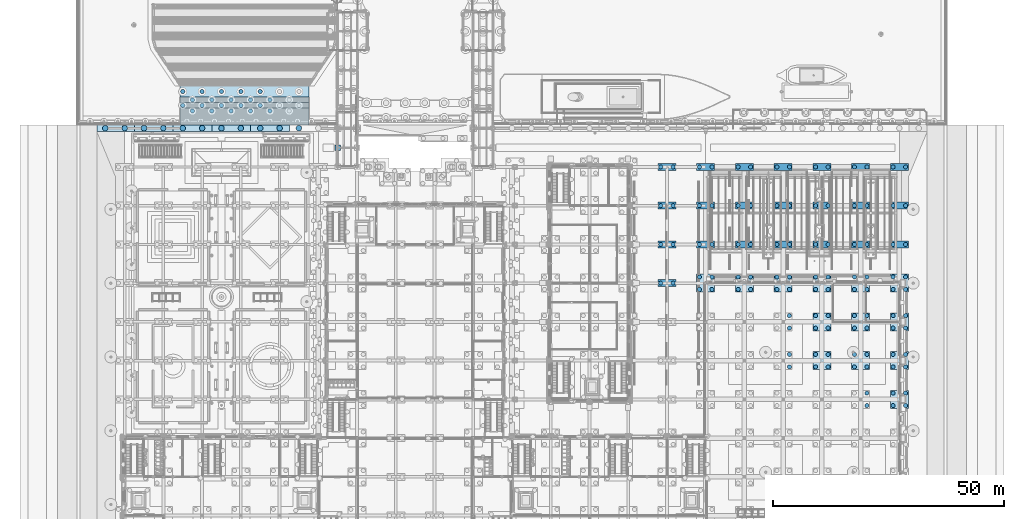
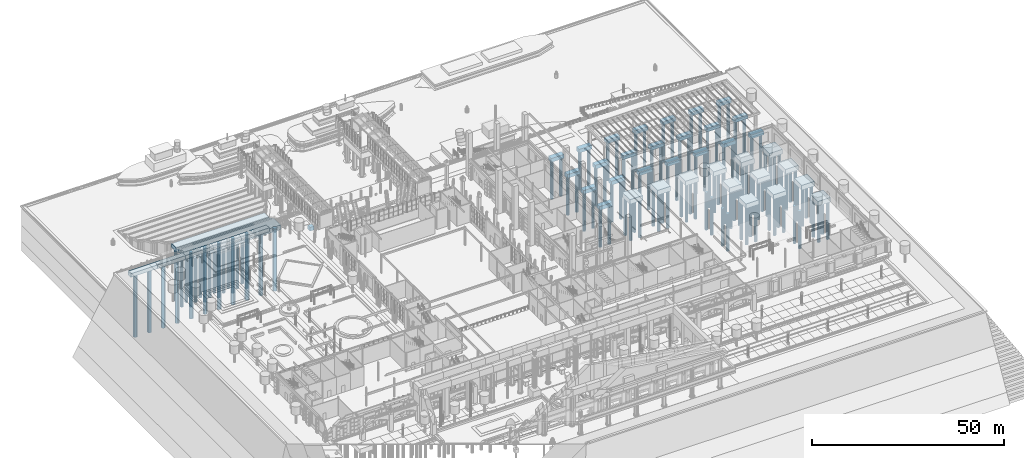
# One storey, part 6 of 222: 133 piles, 45 footings.
"""IFC4 building model written with IfcOpenShell, lengths in metres."""

import ifcopenshell
import ifcopenshell.guid

model = None  # the IFC model being written
_history = None  # IfcOwnerHistory: only IFC2X3 demands one
_inside = {}  # id of a spatial element -> (the spatial element, [elements in it])
_under = {}  # id of a project, library or spatial element -> (it, [spatial elements below it])
_declared = {}  # id of a project -> (the project, [libraries it declares])
_typed = {}  # id of a type object -> (the type object, [elements of that type])
_made_of = {}  # id of a material, layer set ... -> (it, [elements and type objects made of it])


def new_model(schema):
    """Start an empty IFC model of exactly this schema.

    Asked for "IFC4X3", IfcOpenShell would pick the latest addendum, in which some entities
    have other attributes; the version numbers below select the first issue.
    IFC2X3 requires an IfcOwnerHistory on every rooted entity: one is made here for all.
    """
    global model, _history
    if schema == "IFC4X3":
        model = ifcopenshell.file(schema_version=(4, 3, 0, 0))
    else:
        model = ifcopenshell.file(schema=schema)
    _inside.clear()
    _under.clear()
    _declared.clear()
    _typed.clear()
    _made_of.clear()
    _history = None
    if model.schema == "IFC2X3":
        org = make("IfcOrganization", Name="unknown")
        user = make(
            "IfcPersonAndOrganization",
            ThePerson=make("IfcPerson", FamilyName="unknown"),
            TheOrganization=org,
        )
        app = make(
            "IfcApplication",
            ApplicationDeveloper=org,
            Version="unknown",
            ApplicationFullName="unknown",
            ApplicationIdentifier="unknown",
        )
        _history = make(
            "IfcOwnerHistory",
            OwningUser=user,
            OwningApplication=app,
            ChangeAction="ADDED",
            CreationDate=0,
        )
    return model


def make(cls, **values):
    """One entity of the class cls with the attributes given. An attribute that is None is left unset."""
    return model.create_entity(
        cls, **{name: value for name, value in values.items() if value is not None}
    )


def rooted(cls, **values):
    """An entity with a GlobalId (a new one), such as an element, a storey or a relation."""
    return make(cls, GlobalId=ifcopenshell.guid.new(), OwnerHistory=_history, **values)


def si_unit(unit_type, name, prefix=None):
    """IfcSIUnit, for example si_unit("LENGTHUNIT", "METRE", prefix="MILLI")."""
    return make("IfcSIUnit", UnitType=unit_type, Prefix=prefix, Name=name)


def assignment(units):
    """IfcUnitAssignment: the units of a project."""
    return None if units is None else make("IfcUnitAssignment", Units=units)


def point(xyz):
    """IfcCartesianPoint."""
    return None if xyz is None else make("IfcCartesianPoint", Coordinates=xyz)


def direction(xyz):
    """IfcDirection."""
    return None if xyz is None else make("IfcDirection", DirectionRatios=xyz)


def frame(location, z_axis=None, x_axis=None):
    """IfcAxis2Placement3D, a coordinate frame: its origin and axes. An axis left out is left unset."""
    return make(
        "IfcAxis2Placement3D",
        Location=point(location),
        Axis=direction(z_axis),
        RefDirection=direction(x_axis),
    )


def frame_2d(location, x_axis=None):
    """IfcAxis2Placement2D, a coordinate frame in the plane: its origin and x axis."""
    return make(
        "IfcAxis2Placement2D", Location=point(location), RefDirection=direction(x_axis)
    )


def origin():
    """The frame at (0, 0, 0) with its axes left unset."""
    return frame((0.0, 0.0, 0.0))


def origin_2d():
    """The frame at (0, 0) in the plane with its x axis left unset."""
    return frame_2d((0.0, 0.0))


def place(relative_to, where):
    """IfcLocalPlacement: puts the frame where relative to a parent placement (None: the world)."""
    return make(
        "IfcLocalPlacement", PlacementRelTo=relative_to, RelativePlacement=where
    )


def context(
    kind, dimensions, precision=None, world=None, true_north=None, identifier=None
):
    """IfcGeometricRepresentationContext, for example the 3D "Model" context."""
    return make(
        "IfcGeometricRepresentationContext",
        ContextIdentifier=identifier,
        ContextType=kind,
        CoordinateSpaceDimension=dimensions,
        Precision=precision,
        WorldCoordinateSystem=world,
        TrueNorth=true_north,
    )


def subcontext(parent, identifier, kind, view, scale=None):
    """IfcGeometricRepresentationSubContext, for example "Body" below "Model"."""
    return make(
        "IfcGeometricRepresentationSubContext",
        ContextIdentifier=identifier,
        ContextType=kind,
        ParentContext=parent,
        TargetScale=scale,
        TargetView=view,
    )


def project(units=None, contexts=None):
    """IfcProject with its units and contexts."""
    return rooted(
        "IfcProject",
        Name="project",
        RepresentationContexts=contexts,
        UnitsInContext=assignment(units),
    )


def spatial(cls, under=None, at=None, **own):
    """A site, building, storey or space (cls), placed at a placement, below another one or the project."""
    s = rooted(cls, ObjectPlacement=at, **own)
    if under is not None:
        _under.setdefault(under.id(), (under, []))[1].append(s)
    return s


def profile(cls, at=None, kind="AREA", **sizes):
    """A parametric profile (cls). Its sizes go by their IFC names, for example OverallWidth=200.0."""
    return make(cls, ProfileType=kind, Position=at, **sizes)


def rectangle(**sizes):
    """IfcRectangleProfileDef."""
    return profile("IfcRectangleProfileDef", **sizes)


def circle(**sizes):
    """IfcCircleProfileDef."""
    return profile("IfcCircleProfileDef", **sizes)


def extrude(swept, where, along, depth):
    """IfcExtrudedAreaSolid: the profile swept, set in the frame where, extruded along a direction by depth."""
    return make(
        "IfcExtrudedAreaSolid",
        SweptArea=swept,
        Position=where,
        ExtrudedDirection=direction(along),
        Depth=depth,
    )


def shape(context_of_items, identifier, shape_type, items):
    """IfcShapeRepresentation: the items that make up one representation, for example the "Body"."""
    return make(
        "IfcShapeRepresentation",
        ContextOfItems=context_of_items,
        RepresentationIdentifier=identifier,
        RepresentationType=shape_type,
        Items=items,
    )


def material(Name=None, Category=None):
    """IfcMaterial."""
    return make("IfcMaterial", Name=Name, Category=Category)


def material_profile(
    of_material, cross_section, Name=None, Category=None, Priority=None
):
    """IfcMaterialProfile: a cross section and its material."""
    return make(
        "IfcMaterialProfile",
        Name=Name,
        Material=of_material,
        Profile=cross_section,
        Priority=Priority,
        Category=Category,
    )


def profile_set(profiles, Name=None, composite=None):
    """IfcMaterialProfileSet."""
    return make(
        "IfcMaterialProfileSet",
        Name=Name,
        MaterialProfiles=profiles,
        CompositeProfile=composite,
    )


def made_of(thing, what):
    """Note that an element or type object is made of a material, layer set ...; save() writes the relation."""
    if what is not None:
        _made_of.setdefault(what.id(), (what, []))[1].append(thing)
    return thing


def type_object(cls, material=None, **own):
    """A type object (cls), such as IfcWallType, which elements share."""
    return made_of(rooted(cls, **own), material)


def element(
    cls,
    number,
    at=None,
    inside=None,
    cuts=None,
    type_object=None,
    material=None,
    context=None,
    identifier="Body",
    shape_type=None,
    held_by="IfcProductDefinitionShape",
    body=None,
    shapes=None,
    **own,
):
    """One element of the class cls, such as IfcWall. Its Tag is "e" and its number.

    at: its placement. inside: the storey or other place that contains it. cuts: it is an
    opening in that element (IfcRelVoidsElement). A single representation is given by context,
    identifier, shape_type and body (its items); several are given by shapes. held_by: the class
    of the entity that holds the representations. save() writes the other relations.
    """
    e = rooted(cls, Tag="e%d" % number, ObjectPlacement=at, **own)
    if body is not None:
        shapes = [shape(context, identifier, shape_type, body)]
    if shapes is not None:
        e.Representation = make(held_by, Representations=shapes)
    if inside is not None:
        _inside.setdefault(inside.id(), (inside, []))[1].append(e)
    if cuts is not None:
        rooted(
            "IfcRelVoidsElement", RelatingBuildingElement=cuts, RelatedOpeningElement=e
        )
    if type_object is not None:
        _typed.setdefault(type_object.id(), (type_object, []))[1].append(e)
    return made_of(e, material)


def aggregate(whole, parts):
    """IfcRelAggregates: a whole, such as a stair, and the parts it consists of."""
    return rooted("IfcRelAggregates", RelatingObject=whole, RelatedObjects=parts)


def save(model, path):
    """Write the relations noted so far, then the file.

    IfcRelAggregates (storeys below a building ...), IfcRelContainedInSpatialStructure (elements
    in a storey), IfcRelDefinesByType, IfcRelAssociatesMaterial and IfcRelDeclares: one each for
    every whole, place, type object, material and project.
    """
    for whole, parts in _under.values():
        aggregate(whole, parts)
    for where, things in _inside.values():
        rooted(
            "IfcRelContainedInSpatialStructure",
            RelatedElements=things,
            RelatingStructure=where,
        )
    for kind, things in _typed.values():
        rooted("IfcRelDefinesByType", RelatedObjects=things, RelatingType=kind)
    for what, things in _made_of.values():
        rooted("IfcRelAssociatesMaterial", RelatedObjects=things, RelatingMaterial=what)
    for by, libraries in _declared.values():
        rooted("IfcRelDeclares", RelatingContext=by, RelatedDefinitions=libraries)
    model.write(path)


model = new_model("IFC4")

# Units and contexts
model_context = context("Model", 3, precision=1e-05, world=origin(), true_north=direction((0.0, 1.0)))
body_context = subcontext(model_context, "Body", "Model", "MODEL_VIEW")
ifc_project = project(units=[si_unit("LENGTHUNIT", "METRE"), si_unit("AREAUNIT", "SQUARE_METRE"), si_unit("VOLUMEUNIT", "CUBIC_METRE"), si_unit("PLANEANGLEUNIT", "RADIAN"), si_unit("MASSUNIT", "GRAM", prefix="KILO")], contexts=[model_context])

# Site, building, storey
site_placement = place(None, origin())
site = spatial("IfcSite", under=ifc_project, at=site_placement, CompositionType="ELEMENT")
building_placement = place(site_placement, origin())
building = spatial("IfcBuilding", under=site, at=building_placement, Name="Sava Quay Ferry Terminal", CompositionType="ELEMENT")
storey_placement = place(building_placement, origin())
storey = spatial("IfcBuildingStorey", under=building, at=storey_placement, Name="L00", CompositionType="ELEMENT", Elevation=0.0)

# Piles
ifc_material_1 = material(Name="Concrete C35/45", Category="concrete")
ifc_material_profile_1 = material_profile(ifc_material_1, circle(Radius=0.60009765625, at=origin_2d()), Name="Bored pile D1200 in marl")
ifc_profile_set_1 = profile_set([ifc_material_profile_1], Name="Concrete C35/45")
pile_type_1 = type_object("IfcPileType", Name="Bored pile D1200 in marl", PredefinedType="BORED", material=ifc_profile_set_1)
for number, where, z_axis, x_axis, name in (
    (1, (-4.199951171875, 117.60009765625, -1.550048828125), (0.0, 0.0, -1.0), (1.0, 0.0, 0.0), "Quay pile -4.2"),
    (2, (0.0, 117.60009765625, -1.550048828125), (0.0, 0.0, -1.0), (1.0, 0.0, 0.0), "Quay pile 0"),
    (3, (4.199951171875, 117.60009765625, -1.550048828125), (0.0, 0.0, -1.0), (1.0, 0.0, 0.0), "Quay pile 4.2"),
    (4, (8.39990234375, 117.60009765625, -1.550048828125), (0.0, 0.0, -1.0), (1.0, 0.0, 0.0), "Quay pile 8.4"),
    (5, (12.60009765625, 117.60009765625, -1.550048828125), (0.0, 0.0, -1.0), (1.0, 0.0, 0.0), "Quay pile 12.6"),
    (6, (16.800048828125, 117.60009765625, -1.550048828125), (0.0, 0.0, -1.0), (1.0, 0.0, 0.0), "Quay pile 16.8"),
    (7, (21.0, 117.60009765625, -1.550048828125), (0.0, 0.0, -1.0), (1.0, 0.0, 0.0), "Quay pile 21"),
    (8, (25.199951171875, 117.60009765625, -1.550048828125), (0.0, 0.0, -1.0), (1.0, 0.0, 0.0), "Quay pile 25.2"),
    (9, (29.39990234375, 117.60009765625, -1.550048828125), (0.0, 0.0, -1.0), (1.0, 0.0, 0.0), "Quay pile 29.4"),
    (10, (33.60009765625, 117.60009765625, -1.550048828125), (0.0, 0.0, -1.0), (1.0, 0.0, 0.0), "Quay pile 33.6"),
    (11, (37.800048828125, 117.60009765625, -1.550048828125), (0.0, 0.0, -1.0), (1.0, 0.0, 0.0), "Quay pile 37.8"),
):
    element("IfcPile", number, at=place(storey_placement, frame(where, z_axis=z_axis, x_axis=x_axis)), inside=storey, type_object=pile_type_1, Name=name, PredefinedType="BORED", context=body_context, shape_type="SweptSolid", body=[
        extrude(circle(Radius=0.60009765625, at=origin_2d()), origin(), (0.0, 0.0, 1.0), 19.85009765625),
    ])
ifc_material_2 = material(Name="Concrete C30/37", Category="concrete")
ifc_material_profile_2 = material_profile(ifc_material_2, circle(Radius=0.449951171875, at=origin_2d()), Name="Bored pile D900")
ifc_profile_set_2 = profile_set([ifc_material_profile_2], Name="Concrete C30/37")
pile_type_2 = type_object("IfcPileType", Name="Bored pile D900", PredefinedType="BORED", material=ifc_profile_set_2)
for number, where, z_axis, x_axis, name in (
    (12, (160.949951171875, 57.449951171875, -2.75), (0.0, 0.0, -1.0), (1.0, 0.0, 0.0), "Pile 160.95/57.45"),
    (13, (160.949951171875, 60.14990234375, -2.75), (0.0, 0.0, -1.0), (1.0, 0.0, 0.0), "Pile 160.95/60.15"),
    (14, (166.64990234375, 57.449951171875, -2.75), (0.0, 0.0, -1.0), (1.0, 0.0, 0.0), "Pile 166.65/57.45"),
    (15, (166.64990234375, 60.14990234375, -2.75), (0.0, 0.0, -1.0), (1.0, 0.0, 0.0), "Pile 166.65/60.15"),
    (16, (169.35009765625, 57.449951171875, -2.75), (0.0, 0.0, -1.0), (1.0, 0.0, 0.0), "Pile 169.35/57.45"),
    (17, (169.35009765625, 60.14990234375, -2.75), (0.0, 0.0, -1.0), (1.0, 0.0, 0.0), "Pile 169.35/60.15"),
    (18, (144.14990234375, 65.85009765625, -2.75), (0.0, 0.0, -1.0), (1.0, 0.0, 0.0), "Pile 144.15/65.85"),
    (19, (144.14990234375, 68.550048828125, -2.75), (0.0, 0.0, -1.0), (1.0, 0.0, 0.0), "Pile 144.15/68.55"),
    (20, (149.85009765625, 65.85009765625, -2.75), (0.0, 0.0, -1.0), (1.0, 0.0, 0.0), "Pile 149.85/65.85"),
    (21, (149.85009765625, 68.550048828125, -2.75), (0.0, 0.0, -1.0), (1.0, 0.0, 0.0), "Pile 149.85/68.55"),
    (22, (152.550048828125, 65.85009765625, -2.75), (0.0, 0.0, -1.0), (1.0, 0.0, 0.0), "Pile 152.55/65.85"),
    (23, (152.550048828125, 68.550048828125, -2.75), (0.0, 0.0, -1.0), (1.0, 0.0, 0.0), "Pile 152.55/68.55"),
    (24, (158.25, 65.85009765625, -2.75), (0.0, 0.0, -1.0), (1.0, 0.0, 0.0), "Pile 158.25/65.85"),
    (25, (158.25, 68.550048828125, -2.75), (0.0, 0.0, -1.0), (1.0, 0.0, 0.0), "Pile 158.25/68.55"),
    (26, (160.949951171875, 65.85009765625, -2.75), (0.0, 0.0, -1.0), (1.0, 0.0, 0.0), "Pile 160.95/65.85"),
    (27, (160.949951171875, 68.550048828125, -2.75), (0.0, 0.0, -1.0), (1.0, 0.0, 0.0), "Pile 160.95/68.55"),
    (28, (166.64990234375, 65.85009765625, -2.75), (0.0, 0.0, -1.0), (1.0, 0.0, 0.0), "Pile 166.65/65.85"),
    (29, (166.64990234375, 68.550048828125, -2.75), (0.0, 0.0, -1.0), (1.0, 0.0, 0.0), "Pile 166.65/68.55"),
    (30, (169.35009765625, 65.85009765625, -2.75), (0.0, 0.0, -1.0), (1.0, 0.0, 0.0), "Pile 169.35/65.85"),
    (31, (169.35009765625, 68.550048828125, -2.75), (0.0, 0.0, -1.0), (1.0, 0.0, 0.0), "Pile 169.35/68.55"),
    (32, (144.14990234375, 74.25, -2.75), (0.0, 0.0, -1.0), (1.0, 0.0, 0.0), "Pile 144.15/74.25"),
    (33, (144.14990234375, 76.949951171875, -2.75), (0.0, 0.0, -1.0), (1.0, 0.0, 0.0), "Pile 144.15/76.95"),
    (34, (149.85009765625, 74.25, -2.75), (0.0, 0.0, -1.0), (1.0, 0.0, 0.0), "Pile 149.85/74.25"),
    (35, (149.85009765625, 76.949951171875, -2.75), (0.0, 0.0, -1.0), (1.0, 0.0, 0.0), "Pile 149.85/76.95"),
    (36, (152.550048828125, 74.25, -2.75), (0.0, 0.0, -1.0), (1.0, 0.0, 0.0), "Pile 152.55/74.25"),
    (37, (152.550048828125, 76.949951171875, -2.75), (0.0, 0.0, -1.0), (1.0, 0.0, 0.0), "Pile 152.55/76.95"),
    (38, (158.25, 74.25, -2.75), (0.0, 0.0, -1.0), (1.0, 0.0, 0.0), "Pile 158.25/74.25"),
    (39, (158.25, 76.949951171875, -2.75), (0.0, 0.0, -1.0), (1.0, 0.0, 0.0), "Pile 158.25/76.95"),
    (40, (160.949951171875, 74.25, -2.75), (0.0, 0.0, -1.0), (1.0, 0.0, 0.0), "Pile 160.95/74.25"),
    (41, (160.949951171875, 76.949951171875, -2.75), (0.0, 0.0, -1.0), (1.0, 0.0, 0.0), "Pile 160.95/76.95"),
    (42, (166.64990234375, 74.25, -2.75), (0.0, 0.0, -1.0), (1.0, 0.0, 0.0), "Pile 166.65/74.25"),
    (43, (166.64990234375, 76.949951171875, -2.75), (0.0, 0.0, -1.0), (1.0, 0.0, 0.0), "Pile 166.65/76.95"),
    (44, (169.35009765625, 74.25, -2.75), (0.0, 0.0, -1.0), (1.0, 0.0, 0.0), "Pile 169.35/74.25"),
    (45, (169.35009765625, 76.949951171875, -2.75), (0.0, 0.0, -1.0), (1.0, 0.0, 0.0), "Pile 169.35/76.95"),
    (46, (124.64990234375, 82.64990234375, -2.75), (0.0, 0.0, -1.0), (1.0, 0.0, 0.0), "Pile 124.65/82.65"),
    (47, (124.64990234375, 85.35009765625, -2.75), (0.0, 0.0, -1.0), (1.0, 0.0, 0.0), "Pile 124.65/85.35"),
    (48, (127.35009765625, 82.64990234375, -2.75), (0.0, 0.0, -1.0), (1.0, 0.0, 0.0), "Pile 127.35/82.65"),
    (49, (127.35009765625, 85.35009765625, -2.75), (0.0, 0.0, -1.0), (1.0, 0.0, 0.0), "Pile 127.35/85.35"),
    (50, (133.050048828125, 82.64990234375, -2.75), (0.0, 0.0, -1.0), (1.0, 0.0, 0.0), "Pile 133.05/82.65"),
    (51, (133.050048828125, 85.35009765625, -2.75), (0.0, 0.0, -1.0), (1.0, 0.0, 0.0), "Pile 133.05/85.35"),
    (52, (135.75, 82.64990234375, -2.75), (0.0, 0.0, -1.0), (1.0, 0.0, 0.0), "Pile 135.75/82.65"),
    (53, (135.75, 85.35009765625, -2.75), (0.0, 0.0, -1.0), (1.0, 0.0, 0.0), "Pile 135.75/85.35"),
    (54, (141.449951171875, 82.64990234375, -2.75), (0.0, 0.0, -1.0), (1.0, 0.0, 0.0), "Pile 141.45/82.65"),
    (55, (141.449951171875, 85.35009765625, -2.75), (0.0, 0.0, -1.0), (1.0, 0.0, 0.0), "Pile 141.45/85.35"),
    (56, (144.14990234375, 82.64990234375, -2.75), (0.0, 0.0, -1.0), (1.0, 0.0, 0.0), "Pile 144.15/82.65"),
    (57, (144.14990234375, 85.35009765625, -2.75), (0.0, 0.0, -1.0), (1.0, 0.0, 0.0), "Pile 144.15/85.35"),
    (58, (149.85009765625, 82.64990234375, -2.75), (0.0, 0.0, -1.0), (1.0, 0.0, 0.0), "Pile 149.85/82.65"),
    (59, (149.85009765625, 85.35009765625, -2.75), (0.0, 0.0, -1.0), (1.0, 0.0, 0.0), "Pile 149.85/85.35"),
    (60, (152.550048828125, 82.64990234375, -2.75), (0.0, 0.0, -1.0), (1.0, 0.0, 0.0), "Pile 152.55/82.65"),
    (61, (152.550048828125, 85.35009765625, -2.75), (0.0, 0.0, -1.0), (1.0, 0.0, 0.0), "Pile 152.55/85.35"),
    (62, (158.25, 82.64990234375, -2.75), (0.0, 0.0, -1.0), (1.0, 0.0, 0.0), "Pile 158.25/82.65"),
    (63, (158.25, 85.35009765625, -2.75), (0.0, 0.0, -1.0), (1.0, 0.0, 0.0), "Pile 158.25/85.35"),
    (64, (160.949951171875, 82.64990234375, -2.75), (0.0, 0.0, -1.0), (1.0, 0.0, 0.0), "Pile 160.95/82.65"),
    (65, (160.949951171875, 85.35009765625, -2.75), (0.0, 0.0, -1.0), (1.0, 0.0, 0.0), "Pile 160.95/85.35"),
    (66, (166.64990234375, 82.64990234375, -2.75), (0.0, 0.0, -1.0), (1.0, 0.0, 0.0), "Pile 166.65/82.65"),
    (67, (166.64990234375, 85.35009765625, -2.75), (0.0, 0.0, -1.0), (1.0, 0.0, 0.0), "Pile 166.65/85.35"),
    (68, (169.35009765625, 82.64990234375, -2.75), (0.0, 0.0, -1.0), (1.0, 0.0, 0.0), "Pile 169.35/82.65"),
    (69, (169.35009765625, 85.35009765625, -2.75), (0.0, 0.0, -1.0), (1.0, 0.0, 0.0), "Pile 169.35/85.35"),
):
    element("IfcPile", number, at=place(storey_placement, frame(where, z_axis=z_axis, x_axis=x_axis)), inside=storey, type_object=pile_type_2, Name=name, PredefinedType="BORED", context=body_context, shape_type="SweptSolid", body=[
        extrude(circle(Radius=0.449951171875, at=origin_2d()), origin(), (0.0, 0.0, 1.0), 11.949951171875),
    ])
for number, where, z_axis, x_axis, name in (
    (70, (116.25, 84.0, -2.449951171875), (0.0, 0.0, -1.0), (1.0, 0.0, 0.0), "Pile 116.25/84"),
    (71, (118.949951171875, 84.0, -2.449951171875), (0.0, 0.0, -1.0), (1.0, 0.0, 0.0), "Pile 118.95/84"),
    (72, (116.25, 92.39990234375, -2.449951171875), (0.0, 0.0, -1.0), (1.0, 0.0, 0.0), "Pile 116.25/92.4"),
    (73, (118.949951171875, 92.39990234375, -2.449951171875), (0.0, 0.0, -1.0), (1.0, 0.0, 0.0), "Pile 118.95/92.4"),
    (74, (124.64990234375, 92.39990234375, -2.449951171875), (0.0, 0.0, -1.0), (1.0, 0.0, 0.0), "Pile 124.65/92.4"),
    (75, (127.35009765625, 92.39990234375, -2.449951171875), (0.0, 0.0, -1.0), (1.0, 0.0, 0.0), "Pile 127.35/92.4"),
    (76, (133.050048828125, 92.39990234375, -2.449951171875), (0.0, 0.0, -1.0), (1.0, 0.0, 0.0), "Pile 133.05/92.4"),
    (77, (135.75, 92.39990234375, -2.449951171875), (0.0, 0.0, -1.0), (1.0, 0.0, 0.0), "Pile 135.75/92.4"),
    (78, (141.449951171875, 92.39990234375, -2.449951171875), (0.0, 0.0, -1.0), (1.0, 0.0, 0.0), "Pile 141.45/92.4"),
    (79, (144.14990234375, 92.39990234375, -2.449951171875), (0.0, 0.0, -1.0), (1.0, 0.0, 0.0), "Pile 144.15/92.4"),
    (80, (149.85009765625, 92.39990234375, -2.449951171875), (0.0, 0.0, -1.0), (1.0, 0.0, 0.0), "Pile 149.85/92.4"),
    (81, (152.550048828125, 92.39990234375, -2.449951171875), (0.0, 0.0, -1.0), (1.0, 0.0, 0.0), "Pile 152.55/92.4"),
    (82, (158.25, 92.39990234375, -2.449951171875), (0.0, 0.0, -1.0), (1.0, 0.0, 0.0), "Pile 158.25/92.4"),
    (83, (160.949951171875, 92.39990234375, -2.449951171875), (0.0, 0.0, -1.0), (1.0, 0.0, 0.0), "Pile 160.95/92.4"),
    (84, (166.64990234375, 92.39990234375, -2.449951171875), (0.0, 0.0, -1.0), (1.0, 0.0, 0.0), "Pile 166.65/92.4"),
    (85, (169.35009765625, 92.39990234375, -2.449951171875), (0.0, 0.0, -1.0), (1.0, 0.0, 0.0), "Pile 169.35/92.4"),
    (86, (116.25, 100.800048828125, -2.449951171875), (0.0, 0.0, -1.0), (1.0, 0.0, 0.0), "Pile 116.25/100.8"),
    (87, (118.949951171875, 100.800048828125, -2.449951171875), (0.0, 0.0, -1.0), (1.0, 0.0, 0.0), "Pile 118.95/100.8"),
    (88, (124.64990234375, 100.800048828125, -2.449951171875), (0.0, 0.0, -1.0), (1.0, 0.0, 0.0), "Pile 124.65/100.8"),
    (89, (127.35009765625, 100.800048828125, -2.449951171875), (0.0, 0.0, -1.0), (1.0, 0.0, 0.0), "Pile 127.35/100.8"),
    (90, (133.050048828125, 100.800048828125, -2.449951171875), (0.0, 0.0, -1.0), (1.0, 0.0, 0.0), "Pile 133.05/100.8"),
    (91, (135.75, 100.800048828125, -2.449951171875), (0.0, 0.0, -1.0), (1.0, 0.0, 0.0), "Pile 135.75/100.8"),
    (92, (141.449951171875, 100.800048828125, -2.449951171875), (0.0, 0.0, -1.0), (1.0, 0.0, 0.0), "Pile 141.45/100.8"),
    (93, (144.14990234375, 100.800048828125, -2.449951171875), (0.0, 0.0, -1.0), (1.0, 0.0, 0.0), "Pile 144.15/100.8"),
    (94, (149.85009765625, 100.800048828125, -2.449951171875), (0.0, 0.0, -1.0), (1.0, 0.0, 0.0), "Pile 149.85/100.8"),
    (95, (152.550048828125, 100.800048828125, -2.449951171875), (0.0, 0.0, -1.0), (1.0, 0.0, 0.0), "Pile 152.55/100.8"),
    (96, (158.25, 100.800048828125, -2.449951171875), (0.0, 0.0, -1.0), (1.0, 0.0, 0.0), "Pile 158.25/100.8"),
    (97, (160.949951171875, 100.800048828125, -2.449951171875), (0.0, 0.0, -1.0), (1.0, 0.0, 0.0), "Pile 160.95/100.8"),
    (98, (166.64990234375, 100.800048828125, -2.449951171875), (0.0, 0.0, -1.0), (1.0, 0.0, 0.0), "Pile 166.65/100.8"),
    (99, (169.35009765625, 100.800048828125, -2.449951171875), (0.0, 0.0, -1.0), (1.0, 0.0, 0.0), "Pile 169.35/100.8"),
    (100, (116.25, 109.199951171875, -2.449951171875), (0.0, 0.0, -1.0), (1.0, 0.0, 0.0), "Pile 116.25/109.2"),
    (101, (118.949951171875, 109.199951171875, -2.449951171875), (0.0, 0.0, -1.0), (1.0, 0.0, 0.0), "Pile 118.95/109.2"),
    (102, (124.64990234375, 109.199951171875, -2.449951171875), (0.0, 0.0, -1.0), (1.0, 0.0, 0.0), "Pile 124.65/109.2"),
    (103, (127.35009765625, 109.199951171875, -2.449951171875), (0.0, 0.0, -1.0), (1.0, 0.0, 0.0), "Pile 127.35/109.2"),
    (104, (133.050048828125, 109.199951171875, -2.449951171875), (0.0, 0.0, -1.0), (1.0, 0.0, 0.0), "Pile 133.05/109.2"),
    (105, (135.75, 109.199951171875, -2.449951171875), (0.0, 0.0, -1.0), (1.0, 0.0, 0.0), "Pile 135.75/109.2"),
    (106, (141.449951171875, 109.199951171875, -2.449951171875), (0.0, 0.0, -1.0), (1.0, 0.0, 0.0), "Pile 141.45/109.2"),
    (107, (144.14990234375, 109.199951171875, -2.449951171875), (0.0, 0.0, -1.0), (1.0, 0.0, 0.0), "Pile 144.15/109.2"),
    (108, (149.85009765625, 109.199951171875, -2.449951171875), (0.0, 0.0, -1.0), (1.0, 0.0, 0.0), "Pile 149.85/109.2"),
    (109, (152.550048828125, 109.199951171875, -2.449951171875), (0.0, 0.0, -1.0), (1.0, 0.0, 0.0), "Pile 152.55/109.2"),
    (110, (158.25, 109.199951171875, -2.449951171875), (0.0, 0.0, -1.0), (1.0, 0.0, 0.0), "Pile 158.25/109.2"),
    (111, (160.949951171875, 109.199951171875, -2.449951171875), (0.0, 0.0, -1.0), (1.0, 0.0, 0.0), "Pile 160.95/109.2"),
    (112, (166.64990234375, 109.199951171875, -2.449951171875), (0.0, 0.0, -1.0), (1.0, 0.0, 0.0), "Pile 166.65/109.2"),
    (113, (169.35009765625, 109.199951171875, -2.449951171875), (0.0, 0.0, -1.0), (1.0, 0.0, 0.0), "Pile 169.35/109.2"),
):
    element("IfcPile", number, at=place(storey_placement, frame(where, z_axis=z_axis, x_axis=x_axis)), inside=storey, type_object=pile_type_2, Name=name, PredefinedType="BORED", context=body_context, shape_type="SweptSolid", body=[
        extrude(circle(Radius=0.449951171875, at=origin_2d()), origin(), (0.0, 0.0, 1.0), 12.25),
    ])
ifc_material_3 = material(Name="Concrete C30/37", Category="concrete")
ifc_material_profile_3 = material_profile(ifc_material_3, circle(Radius=0.449951171875, at=origin_2d()), Name="Bored pile D900 in marl")
ifc_profile_set_3 = profile_set([ifc_material_profile_3], Name="Concrete C30/37")
pile_type_3 = type_object("IfcPileType", Name="Bored pile D900 in marl", PredefinedType="BORED", material=ifc_profile_set_3)
for number, where, z_axis, x_axis, name in (
    (114, (14.699951171875, 121.35009765625, -3.35009765625), (0.0, 0.0, -1.0), (1.0, 0.0, 0.0), "Quay step pile 14.7"),
    (115, (18.89990234375, 121.35009765625, -3.35009765625), (0.0, 0.0, -1.0), (1.0, 0.0, 0.0), "Quay step pile 18.9"),
    (116, (23.10009765625, 121.35009765625, -3.35009765625), (0.0, 0.0, -1.0), (1.0, 0.0, 0.0), "Quay step pile 23.1"),
    (117, (27.300048828125, 121.35009765625, -3.35009765625), (0.0, 0.0, -1.0), (1.0, 0.0, 0.0), "Quay step pile 27.3"),
    (118, (31.5, 121.35009765625, -3.35009765625), (0.0, 0.0, -1.0), (1.0, 0.0, 0.0), "Quay step pile 31.5"),
    (119, (12.60009765625, 122.550048828125, -3.35009765625), (0.0, 0.0, -1.0), (1.0, 0.0, 0.0), "Quay step pile 12.6"),
    (120, (16.800048828125, 122.550048828125, -3.35009765625), (0.0, 0.0, -1.0), (1.0, 0.0, 0.0), "Quay step pile 16.8"),
    (121, (21.0, 122.550048828125, -3.35009765625), (0.0, 0.0, -1.0), (1.0, 0.0, 0.0), "Quay step pile 21"),
    (122, (25.199951171875, 122.550048828125, -3.35009765625), (0.0, 0.0, -1.0), (1.0, 0.0, 0.0), "Quay step pile 25.2"),
    (123, (29.39990234375, 122.550048828125, -3.35009765625), (0.0, 0.0, -1.0), (1.0, 0.0, 0.0), "Quay step pile 29.4"),
):
    element("IfcPile", number, at=place(storey_placement, frame(where, z_axis=z_axis, x_axis=x_axis)), inside=storey, type_object=pile_type_3, Name=name, PredefinedType="BORED", context=body_context, shape_type="SweptSolid", body=[
        extrude(circle(Radius=0.449951171875, at=origin_2d()), origin(), (0.0, 0.0, 1.0), 17.449951171875),
    ])
for number, where, z_axis, x_axis, name in (
    (124, (14.699951171875, 123.75, -3.949951171875), (0.0, 0.0, -1.0), (1.0, 0.0, 0.0), "Quay step pile 14.7"),
    (125, (18.89990234375, 123.75, -3.949951171875), (0.0, 0.0, -1.0), (1.0, 0.0, 0.0), "Quay step pile 18.9"),
    (126, (23.10009765625, 123.75, -3.949951171875), (0.0, 0.0, -1.0), (1.0, 0.0, 0.0), "Quay step pile 23.1"),
    (127, (27.300048828125, 123.75, -3.949951171875), (0.0, 0.0, -1.0), (1.0, 0.0, 0.0), "Quay step pile 27.3"),
    (128, (31.5, 123.75, -3.949951171875), (0.0, 0.0, -1.0), (1.0, 0.0, 0.0), "Quay step pile 31.5"),
):
    element("IfcPile", number, at=place(storey_placement, frame(where, z_axis=z_axis, x_axis=x_axis)), inside=storey, type_object=pile_type_3, Name=name, PredefinedType="BORED", context=body_context, shape_type="SweptSolid", body=[
        extrude(circle(Radius=0.449951171875, at=origin_2d()), origin(), (0.0, 0.0, 1.0), 16.85009765625),
    ])
for number, where, z_axis, x_axis, name in (
    (129, (12.60009765625, 125.550048828125, -4.25), (0.0, 0.0, -1.0), (1.0, 0.0, 0.0), "Quay step pile 12.6"),
    (130, (16.800048828125, 125.550048828125, -4.25), (0.0, 0.0, -1.0), (1.0, 0.0, 0.0), "Quay step pile 16.8"),
    (131, (21.0, 125.550048828125, -4.25), (0.0, 0.0, -1.0), (1.0, 0.0, 0.0), "Quay step pile 21"),
    (132, (25.199951171875, 125.550048828125, -4.25), (0.0, 0.0, -1.0), (1.0, 0.0, 0.0), "Quay step pile 25.2"),
    (133, (29.39990234375, 125.550048828125, -4.25), (0.0, 0.0, -1.0), (1.0, 0.0, 0.0), "Quay step pile 29.4"),
):
    element("IfcPile", number, at=place(storey_placement, frame(where, z_axis=z_axis, x_axis=x_axis)), inside=storey, type_object=pile_type_3, Name=name, PredefinedType="BORED", context=body_context, shape_type="SweptSolid", body=[
        extrude(circle(Radius=0.449951171875, at=origin_2d()), origin(), (0.0, 0.0, 1.0), 16.550048828125),
    ])

# Footings
ifc_material_4 = material(Name="Concrete C35/45", Category="concrete")
footing_type_1 = type_object("IfcFootingType", Name="Pile cap 1.2x1.2x1.2", PredefinedType="PILE_CAP", material=ifc_material_4)
footing_1_placement = place(storey_placement, frame((46.199951171875, 113.39990234375, -2.5498046875), z_axis=(0.0, 0.0, 1.0), x_axis=(1.0, 0.0, 0.0)))
element("IfcFooting", 134, at=footing_1_placement, inside=storey, type_object=footing_type_1, Name="Gallery post cap 45.6/112.8", PredefinedType="PILE_CAP", context=body_context, shape_type="SweptSolid", body=[
    extrude(rectangle(XDim=1.199951171875, YDim=1.199951171875, at=origin_2d()), origin(), (0.0, 0.0, 1.0), 1.199951171875),
])
ifc_material_5 = material(Name="Concrete C35/45", Category="concrete")
footing_type_2 = type_object("IfcFootingType", Name="Pile cap 3.9x1.5x1.2", PredefinedType="PILE_CAP", material=ifc_material_5)
for number, where, z_axis, x_axis, name in (
    (135, (117.60009765625, 84.0, -2.5498046875), (0.0, 0.0, 1.0), (1.0, 0.0, 0.0), "Deck pile cap 115.65/83.25"),
    (136, (117.60009765625, 92.39990234375, -2.5498046875), (0.0, 0.0, 1.0), (1.0, 0.0, 0.0), "Deck pile cap 115.65/91.65"),
    (137, (126.0, 92.39990234375, -2.5498046875), (0.0, 0.0, 1.0), (1.0, 0.0, 0.0), "Deck pile cap 124.05/91.65"),
    (138, (134.39990234375, 92.39990234375, -2.5498046875), (0.0, 0.0, 1.0), (1.0, 0.0, 0.0), "Deck pile cap 132.45/91.65"),
    (139, (142.800048828125, 92.39990234375, -2.5498046875), (0.0, 0.0, 1.0), (1.0, 0.0, 0.0), "Deck pile cap 140.85/91.65"),
    (140, (151.199951171875, 92.39990234375, -2.5498046875), (0.0, 0.0, 1.0), (1.0, 0.0, 0.0), "Deck pile cap 149.25/91.65"),
    (141, (159.60009765625, 92.39990234375, -2.5498046875), (0.0, 0.0, 1.0), (1.0, 0.0, 0.0), "Deck pile cap 157.65/91.65"),
    (142, (168.0, 92.39990234375, -2.5498046875), (0.0, 0.0, 1.0), (1.0, 0.0, 0.0), "Deck pile cap 166.05/91.65"),
    (143, (117.60009765625, 100.800048828125, -2.5498046875), (0.0, 0.0, 1.0), (1.0, 0.0, 0.0), "Deck pile cap 115.65/100.05"),
    (144, (126.0, 100.800048828125, -2.5498046875), (0.0, 0.0, 1.0), (1.0, 0.0, 0.0), "Deck pile cap 124.05/100.05"),
    (145, (134.39990234375, 100.800048828125, -2.5498046875), (0.0, 0.0, 1.0), (1.0, 0.0, 0.0), "Deck pile cap 132.45/100.05"),
    (146, (142.800048828125, 100.800048828125, -2.5498046875), (0.0, 0.0, 1.0), (1.0, 0.0, 0.0), "Deck pile cap 140.85/100.05"),
    (147, (151.199951171875, 100.800048828125, -2.5498046875), (0.0, 0.0, 1.0), (1.0, 0.0, 0.0), "Deck pile cap 149.25/100.05"),
    (148, (159.60009765625, 100.800048828125, -2.5498046875), (0.0, 0.0, 1.0), (1.0, 0.0, 0.0), "Deck pile cap 157.65/100.05"),
    (149, (168.0, 100.800048828125, -2.5498046875), (0.0, 0.0, 1.0), (1.0, 0.0, 0.0), "Deck pile cap 166.05/100.05"),
    (150, (117.60009765625, 109.199951171875, -2.5498046875), (0.0, 0.0, 1.0), (1.0, 0.0, 0.0), "Deck pile cap 115.65/108.45"),
    (151, (126.0, 109.199951171875, -2.5498046875), (0.0, 0.0, 1.0), (1.0, 0.0, 0.0), "Deck pile cap 124.05/108.45"),
    (152, (134.39990234375, 109.199951171875, -2.5498046875), (0.0, 0.0, 1.0), (1.0, 0.0, 0.0), "Deck pile cap 132.45/108.45"),
    (153, (142.800048828125, 109.199951171875, -2.5498046875), (0.0, 0.0, 1.0), (1.0, 0.0, 0.0), "Deck pile cap 140.85/108.45"),
    (154, (151.199951171875, 109.199951171875, -2.5498046875), (0.0, 0.0, 1.0), (1.0, 0.0, 0.0), "Deck pile cap 149.25/108.45"),
    (155, (159.60009765625, 109.199951171875, -2.5498046875), (0.0, 0.0, 1.0), (1.0, 0.0, 0.0), "Deck pile cap 157.65/108.45"),
    (156, (168.0, 109.199951171875, -2.5498046875), (0.0, 0.0, 1.0), (1.0, 0.0, 0.0), "Deck pile cap 166.05/108.45"),
):
    element("IfcFooting", number, at=place(storey_placement, frame(where, z_axis=z_axis, x_axis=x_axis)), inside=storey, type_object=footing_type_2, Name=name, PredefinedType="PILE_CAP", context=body_context, shape_type="SweptSolid", body=[
        extrude(rectangle(XDim=3.89990234375, YDim=1.5, at=origin_2d()), origin(), (0.0, 0.0, 1.0), 1.199951171875),
    ])
ifc_material_6 = material(Name="Concrete C35/45", Category="concrete")
footing_type_3 = type_object("IfcFootingType", Name="Pile cap 3.9x3.9x1.5", PredefinedType="PILE_CAP", material=ifc_material_6)
for number, where, z_axis, x_axis, name in (
    (157, (168.0, 58.800048828125, -2.85009765625), (0.0, 0.0, 1.0), (1.0, 0.0, 0.0), "Pile cap 166.05/56.85"),
    (158, (151.199951171875, 67.199951171875, -2.85009765625), (0.0, 0.0, 1.0), (1.0, 0.0, 0.0), "Pile cap 149.25/65.25"),
    (159, (159.60009765625, 67.199951171875, -2.85009765625), (0.0, 0.0, 1.0), (1.0, 0.0, 0.0), "Pile cap 157.65/65.25"),
    (160, (168.0, 67.199951171875, -2.85009765625), (0.0, 0.0, 1.0), (1.0, 0.0, 0.0), "Pile cap 166.05/65.25"),
    (161, (151.199951171875, 75.60009765625, -2.85009765625), (0.0, 0.0, 1.0), (1.0, 0.0, 0.0), "Pile cap 149.25/73.65"),
    (162, (159.60009765625, 75.60009765625, -2.85009765625), (0.0, 0.0, 1.0), (1.0, 0.0, 0.0), "Pile cap 157.65/73.65"),
    (163, (168.0, 75.60009765625, -2.85009765625), (0.0, 0.0, 1.0), (1.0, 0.0, 0.0), "Pile cap 166.05/73.65"),
    (164, (126.0, 84.0, -2.85009765625), (0.0, 0.0, 1.0), (1.0, 0.0, 0.0), "Pile cap 124.05/82.05"),
    (165, (134.39990234375, 84.0, -2.85009765625), (0.0, 0.0, 1.0), (1.0, 0.0, 0.0), "Pile cap 132.45/82.05"),
    (166, (142.800048828125, 84.0, -2.85009765625), (0.0, 0.0, 1.0), (1.0, 0.0, 0.0), "Pile cap 140.85/82.05"),
    (167, (151.199951171875, 84.0, -2.85009765625), (0.0, 0.0, 1.0), (1.0, 0.0, 0.0), "Pile cap 149.25/82.05"),
    (168, (159.60009765625, 84.0, -2.85009765625), (0.0, 0.0, 1.0), (1.0, 0.0, 0.0), "Pile cap 157.65/82.05"),
    (169, (168.0, 84.0, -2.85009765625), (0.0, 0.0, 1.0), (1.0, 0.0, 0.0), "Pile cap 166.05/82.05"),
):
    element("IfcFooting", number, at=place(storey_placement, frame(where, z_axis=z_axis, x_axis=x_axis)), inside=storey, type_object=footing_type_3, Name=name, PredefinedType="PILE_CAP", context=body_context, shape_type="SweptSolid", body=[
        extrude(rectangle(XDim=3.89990234375, YDim=3.89990234375, at=origin_2d()), origin(), (0.0, 0.0, 1.0), 1.5),
    ])
ifc_material_7 = material(Name="Concrete C40/50", Category="concrete")
footing_type_4 = type_object("IfcFootingType", Name="Quay step cap 28.0x1.2x0.9", PredefinedType="PILE_CAP", material=ifc_material_7)
for number, where, z_axis, x_axis, name in (
    (170, (26.0, 122.550048828125, -3.449951171875), (0.0, 0.0, 1.0), (1.0, 0.0, 0.0), "Quay step cap 4"),
    (171, (26.0, 123.75, -4.050048828125), (0.0, 0.0, 1.0), (1.0, 0.0, 0.0), "Quay step cap 5"),
):
    element("IfcFooting", number, at=place(storey_placement, frame(where, z_axis=z_axis, x_axis=x_axis)), inside=storey, type_object=footing_type_4, Name=name, PredefinedType="PILE_CAP", context=body_context, shape_type="SweptSolid", body=[
        extrude(rectangle(XDim=28.0, YDim=1.199951171875, at=origin_2d()), origin(), (0.0, 0.0, 1.0), 0.89990234375),
    ])
ifc_material_8 = material(Name="Concrete C40/50", Category="concrete")
footing_type_5 = type_object("IfcFootingType", Name="Quay step cap 28.0x2.4x1.2", PredefinedType="PILE_CAP", material=ifc_material_8)
footing_2_placement = place(storey_placement, frame((26.0, 125.550048828125, -4.35009765625), z_axis=(0.0, 0.0, 1.0), x_axis=(1.0, 0.0, 0.0)))
element("IfcFooting", 172, at=footing_2_placement, inside=storey, type_object=footing_type_5, Name="Quay step cap 6", PredefinedType="PILE_CAP", context=body_context, shape_type="SweptSolid", body=[
    extrude(rectangle(XDim=28.0, YDim=2.39990234375, at=origin_2d()), origin(), (0.0, 0.0, 1.0), 1.199951171875),
])
ifc_material_9 = material(Name="Concrete C40/50", Category="concrete")
footing_type_6 = type_object("IfcFootingType", Name="Quay step cap 28.0x3.6x1.5", PredefinedType="PILE_CAP", material=ifc_material_9)
footing_3_placement = place(storey_placement, frame((26.0, 120.14990234375, -3.449951171875), z_axis=(0.0, 0.0, 1.0), x_axis=(1.0, 0.0, 0.0)))
element("IfcFooting", 173, at=footing_3_placement, inside=storey, type_object=footing_type_6, Name="Quay step cap 1", PredefinedType="PILE_CAP", context=body_context, shape_type="SweptSolid", body=[
    extrude(rectangle(XDim=28.0, YDim=3.60009765625, at=origin_2d()), origin(), (0.0, 0.0, 1.0), 1.5),
])
ifc_material_10 = material(Name="Concrete C40/50", Category="concrete")
footing_type_7 = type_object("IfcFootingType", Name="RC capping beam 1500x1200", PredefinedType="PILE_CAP", material=ifc_material_10)
for number, where, z_axis, x_axis, name in (
    (174, (6.300048828125, 117.60009765625, -1.64990234375), (0.0, 0.0, 1.0), (1.0, 0.0, 0.0), "Capping beam 2.1"),
    (175, (14.699951171875, 117.60009765625, -1.64990234375), (0.0, 0.0, 1.0), (1.0, 0.0, 0.0), "Capping beam 10.5"),
    (176, (23.10009765625, 117.60009765625, -1.64990234375), (0.0, 0.0, 1.0), (1.0, 0.0, 0.0), "Capping beam 18.9"),
    (177, (31.5, 117.60009765625, -1.64990234375), (0.0, 0.0, 1.0), (1.0, 0.0, 0.0), "Capping beam 27.3"),
):
    element("IfcFooting", number, at=place(storey_placement, frame(where, z_axis=z_axis, x_axis=x_axis)), inside=storey, type_object=footing_type_7, Name=name, PredefinedType="PILE_CAP", context=body_context, shape_type="SweptSolid", body=[
        extrude(rectangle(XDim=8.39990234375, YDim=1.5, at=origin_2d()), origin(), (0.0, 0.0, 1.0), 1.199951171875),
    ])
ifc_material_11 = material(Name="Concrete C40/50", Category="concrete")
footing_type_8 = type_object("IfcFootingType", Name="RC capping beam 1500x1200 end 8.1", PredefinedType="PILE_CAP", material=ifc_material_11)
footing_4_placement = place(storey_placement, frame((-1.949951171875, 117.60009765625, -1.64990234375), z_axis=(0.0, 0.0, 1.0), x_axis=(1.0, 0.0, 0.0)))
element("IfcFooting", 178, at=footing_4_placement, inside=storey, type_object=footing_type_8, Name="Capping beam -6", PredefinedType="PILE_CAP", context=body_context, shape_type="SweptSolid", body=[
    extrude(rectangle(XDim=8.10009765625, YDim=1.5, at=origin_2d()), origin(), (0.0, 0.0, 1.0), 1.199951171875),
])

save(model, "model.ifc")
